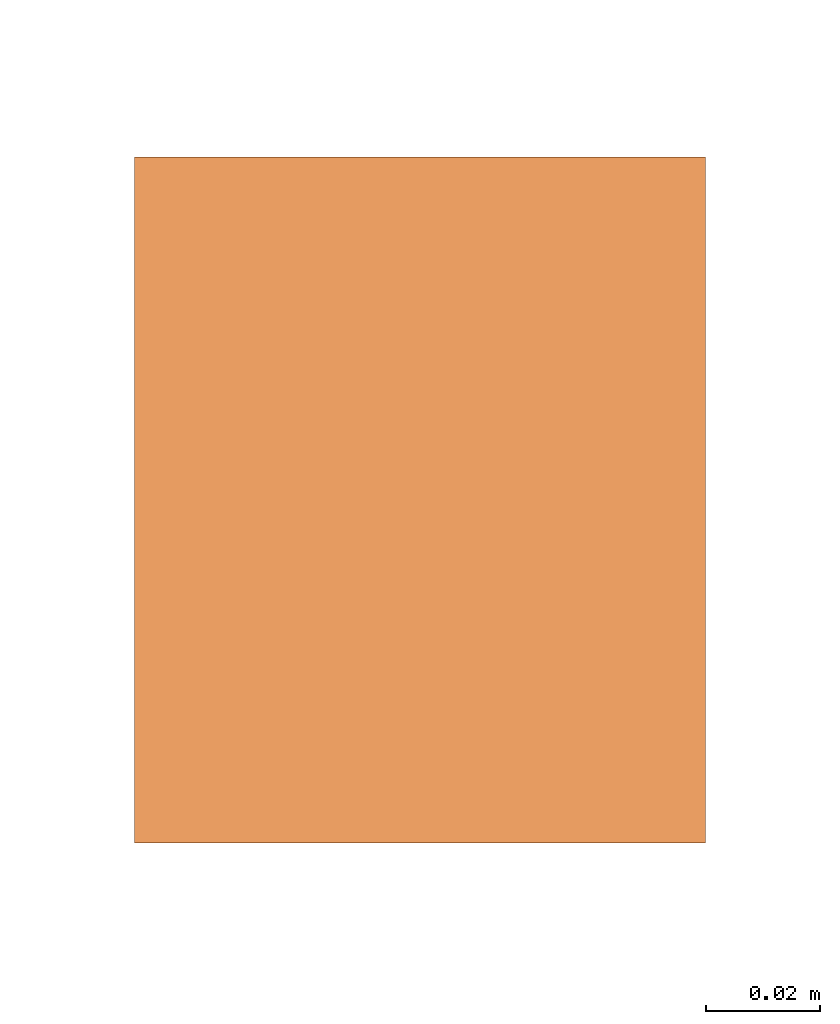
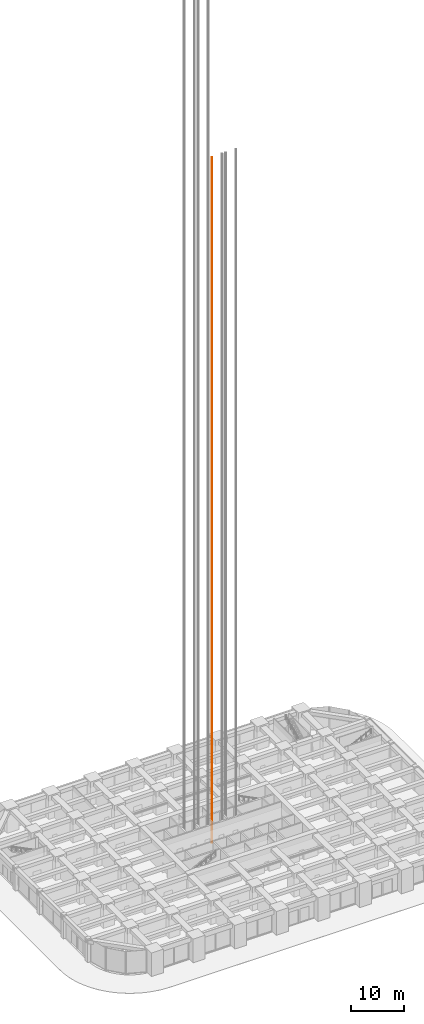
# One storey, part 52 of 56: 1 proxy.
"""IFC4 building model written with IfcOpenShell, lengths in metres."""

from ifc_helpers import new_model, si_unit, direction, frame, origin, origin_2d, place, context, subcontext, project, spatial, rectangle, extrude, element, save


model = new_model("IFC4")

# Units and contexts
model_context = context("Model", 3, precision=1e-05, world=origin(), true_north=direction((0.0, 1.0)))
body_context = subcontext(model_context, "Body", "Model", "MODEL_VIEW")
ifc_project = project(units=[si_unit("LENGTHUNIT", "METRE"), si_unit("AREAUNIT", "SQUARE_METRE"), si_unit("VOLUMEUNIT", "CUBIC_METRE"), si_unit("PLANEANGLEUNIT", "RADIAN"), si_unit("MASSUNIT", "GRAM", prefix="KILO")], contexts=[model_context])

# Site, building, storey
site_placement = place(None, origin())
site = spatial("IfcSite", under=ifc_project, at=site_placement, CompositionType="ELEMENT")
building_placement = place(site_placement, origin())
building = spatial("IfcBuilding", under=site, at=building_placement, Name="Zorevar Civic Tower", CompositionType="ELEMENT")
storey_placement = place(building_placement, origin())
storey = spatial("IfcBuildingStorey", under=building, at=storey_placement, Name="L00", CompositionType="ELEMENT", Elevation=0.0)

# Proxy
proxy_placement = place(storey_placement, frame((30.39990234375, 30.89990234375, 0.0), z_axis=(0.0, 0.0, 1.0), x_axis=(1.0, 0.0, 0.0)))
element("IfcBuildingElementProxy", 1, at=proxy_placement, inside=storey, Name="Passenger lift LM2 guide rail 1", PredefinedType="NOTDEFINED", context=body_context, shape_type="SweptSolid", body=[
    extrude(rectangle(XDim=0.10009765625, YDim=0.1201171875, at=origin_2d()), origin(), (0.0, 0.0, 1.0), 156.5),
])

save(model, "model.ifc")
